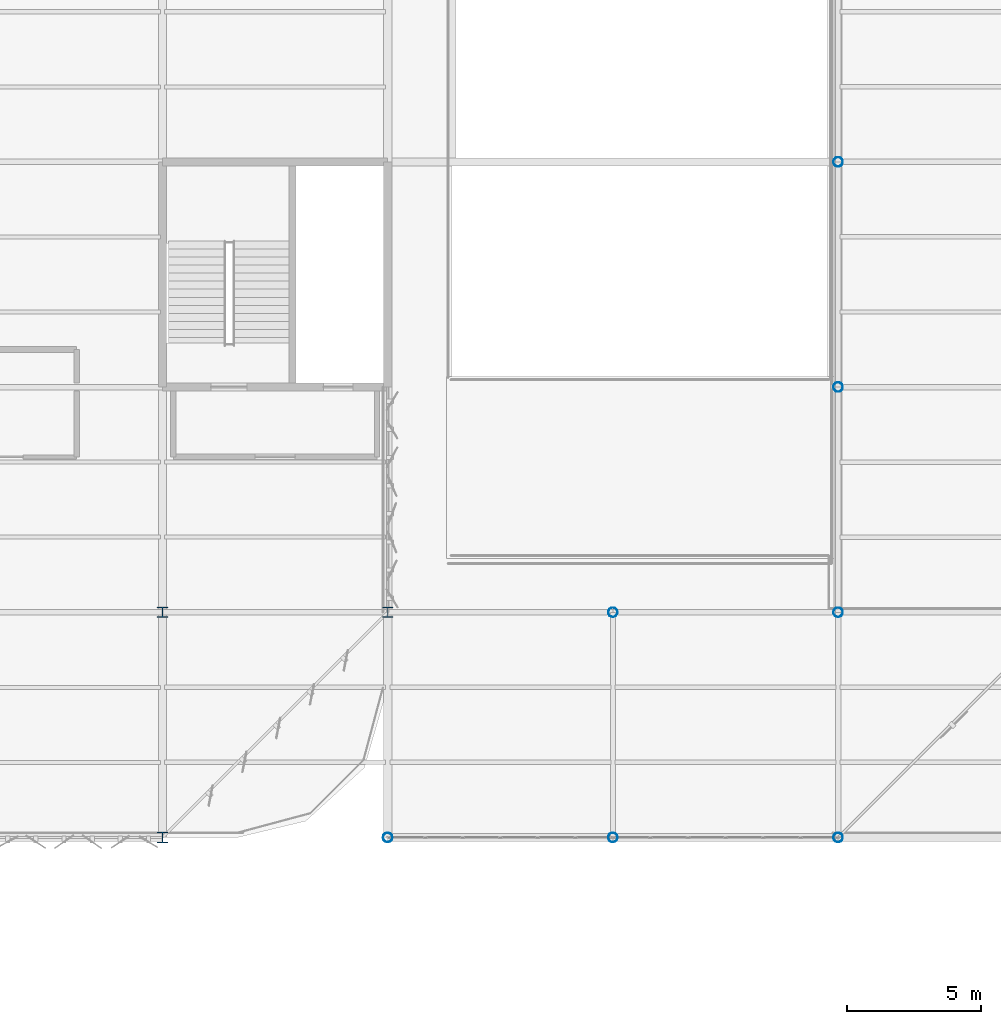
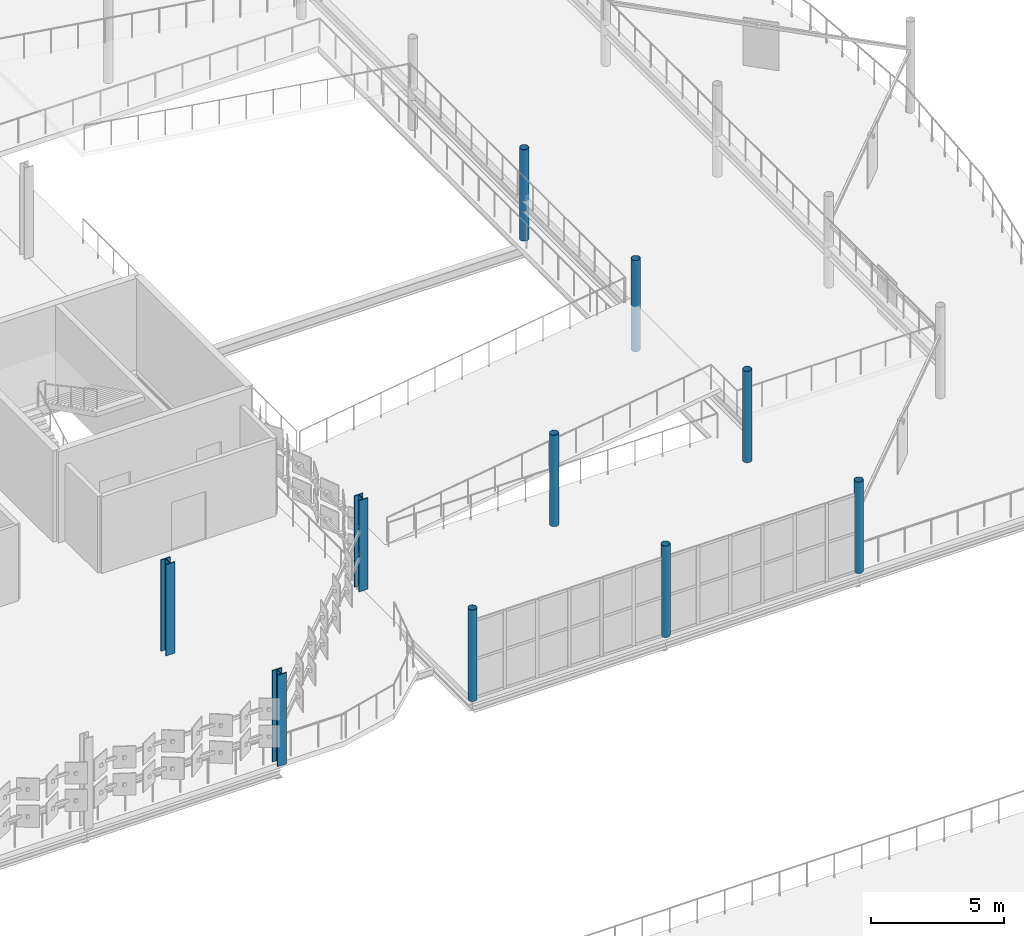
# One storey, part 18 of 184: 10 columns.
"""IFC4 building model written with IfcOpenShell, lengths in metres."""

from ifc_helpers import new_model, si_unit, direction, frame, origin, origin_2d, place, context, subcontext, project, spatial, hollow_circle, i_section, extrude, material, material_profile, profile_set, type_object, element, save


model = new_model("IFC4")

# Units and contexts
model_context = context("Model", 3, precision=1e-05, world=origin(), true_north=direction((0.0, 1.0)))
body_context = subcontext(model_context, "Body", "Model", "MODEL_VIEW")
ifc_project = project(units=[si_unit("LENGTHUNIT", "METRE"), si_unit("AREAUNIT", "SQUARE_METRE"), si_unit("VOLUMEUNIT", "CUBIC_METRE"), si_unit("PLANEANGLEUNIT", "RADIAN"), si_unit("MASSUNIT", "GRAM", prefix="KILO")], contexts=[model_context])

# Site, building, storey
site_placement = place(None, origin())
site = spatial("IfcSite", under=ifc_project, at=site_placement, CompositionType="ELEMENT")
building_placement = place(site_placement, origin())
building = spatial("IfcBuilding", under=site, at=building_placement, Name="Qalvenar Corner Mobility Hub", CompositionType="ELEMENT")
storey_placement = place(building_placement, frame((0.0, 0.0, 9.0)))
storey = spatial("IfcBuildingStorey", under=building, at=storey_placement, Name="L02", CompositionType="ELEMENT", Elevation=9.0)

# Columns
ifc_material = material(Name="Steel S355", Category="steel")
ifc_material_profile_1 = material_profile(ifc_material, hollow_circle(Radius=0.177734375, WallThickness=0.010009765625, at=origin_2d()), Name="CHS355.6x10")
ifc_profile_set_1 = profile_set([ifc_material_profile_1], Name="Steel S355")
column_type_1 = type_object("IfcColumnType", Name="COL-CHS355", PredefinedType="COLUMN", material=ifc_profile_set_1)
for number, where, z_axis, x_axis, name in (
    (1, (142.800048828125, 67.199951171875, 0.0), (0.0, 0.0, 1.0), (1.0, 0.0, 0.0), "Steel Column L02-G18-8"),
    (2, (151.199951171875, 67.199951171875, 0.0), (0.0, 0.0, 1.0), (1.0, 0.0, 0.0), "Steel Column L02-G19-8"),
    (3, (151.199951171875, 75.60009765625, 0.0), (0.0, 0.0, 1.0), (1.0, 0.0, 0.0), "Steel Column L02-G19-9"),
    (4, (159.60009765625, 67.199951171875, 0.0), (0.0, 0.0, 1.0), (1.0, 0.0, 0.0), "Steel Column L02-G20-8"),
    (5, (159.60009765625, 75.60009765625, 0.0), (0.0, 0.0, 1.0), (1.0, 0.0, 0.0), "Steel Column L02-G20-9"),
    (6, (159.60009765625, 84.0, 0.0), (0.0, 0.0, 1.0), (1.0, 0.0, 0.0), "Steel Column L02-G20-10"),
    (7, (159.60009765625, 92.39990234375, 0.0), (0.0, 0.0, 1.0), (1.0, 0.0, 0.0), "Steel Column L02-G20-11"),
):
    element("IfcColumn", number, at=place(storey_placement, frame(where, z_axis=z_axis, x_axis=x_axis)), inside=storey, type_object=column_type_1, Name=name, PredefinedType="COLUMN", context=body_context, shape_type="SweptSolid", body=[
        extrude(hollow_circle(Radius=0.177734375, WallThickness=0.010009765625, at=origin_2d()), origin(), (0.0, 0.0, 1.0), 4.199951171875),
    ])
ifc_material_profile_2 = material_profile(ifc_material, i_section(OverallWidth=0.376953125, OverallDepth=0.386962890625, WebThickness=0.0224609375, FlangeThickness=0.035888671875, FilletRadius=0.014892578125, at=origin_2d()), Name="HD360x262")
ifc_profile_set_2 = profile_set([ifc_material_profile_2], Name="Steel S355")
column_type_2 = type_object("IfcColumnType", Name="COL-HD360X262", PredefinedType="COLUMN", material=ifc_profile_set_2)
column_placement = place(storey_placement, frame((142.800048828125, 75.60009765625, 0.0), z_axis=(0.0, 0.0, 1.0), x_axis=(1.0, 0.0, 0.0)))
element("IfcColumn", 8, at=column_placement, inside=storey, type_object=column_type_2, Name="Steel Column L02-G18-9", PredefinedType="COLUMN", context=body_context, shape_type="SweptSolid", body=[
    extrude(i_section(OverallWidth=0.376953125, OverallDepth=0.386962890625, WebThickness=0.0224609375, FlangeThickness=0.035888671875, FilletRadius=0.014892578125, at=origin_2d()), origin(), (0.0, 0.0, 1.0), 4.199951171875),
])
ifc_material_profile_3 = material_profile(ifc_material, i_section(OverallWidth=0.40087890625, OverallDepth=0.39892578125, WebThickness=0.02490234375, FlangeThickness=0.03955078125, FilletRadius=0.014892578125, at=origin_2d()), Name="HD400x314")
ifc_profile_set_3 = profile_set([ifc_material_profile_3], Name="Steel S355")
column_type_3 = type_object("IfcColumnType", Name="COL-HD400X314", PredefinedType="COLUMN", material=ifc_profile_set_3)
for number, where, z_axis, x_axis, name in (
    (9, (134.39990234375, 67.199951171875, 0.0), (0.0, 0.0, 1.0), (1.0, 0.0, 0.0), "Steel Column L02-G17-8"),
    (10, (134.39990234375, 75.60009765625, 0.0), (0.0, 0.0, 1.0), (1.0, 0.0, 0.0), "Steel Column L02-G17-9"),
):
    element("IfcColumn", number, at=place(storey_placement, frame(where, z_axis=z_axis, x_axis=x_axis)), inside=storey, type_object=column_type_3, Name=name, PredefinedType="COLUMN", context=body_context, shape_type="SweptSolid", body=[
        extrude(i_section(OverallWidth=0.40087890625, OverallDepth=0.39892578125, WebThickness=0.02490234375, FlangeThickness=0.03955078125, FilletRadius=0.014892578125, at=origin_2d()), origin(), (0.0, 0.0, 1.0), 4.199951171875),
    ])

save(model, "model.ifc")
